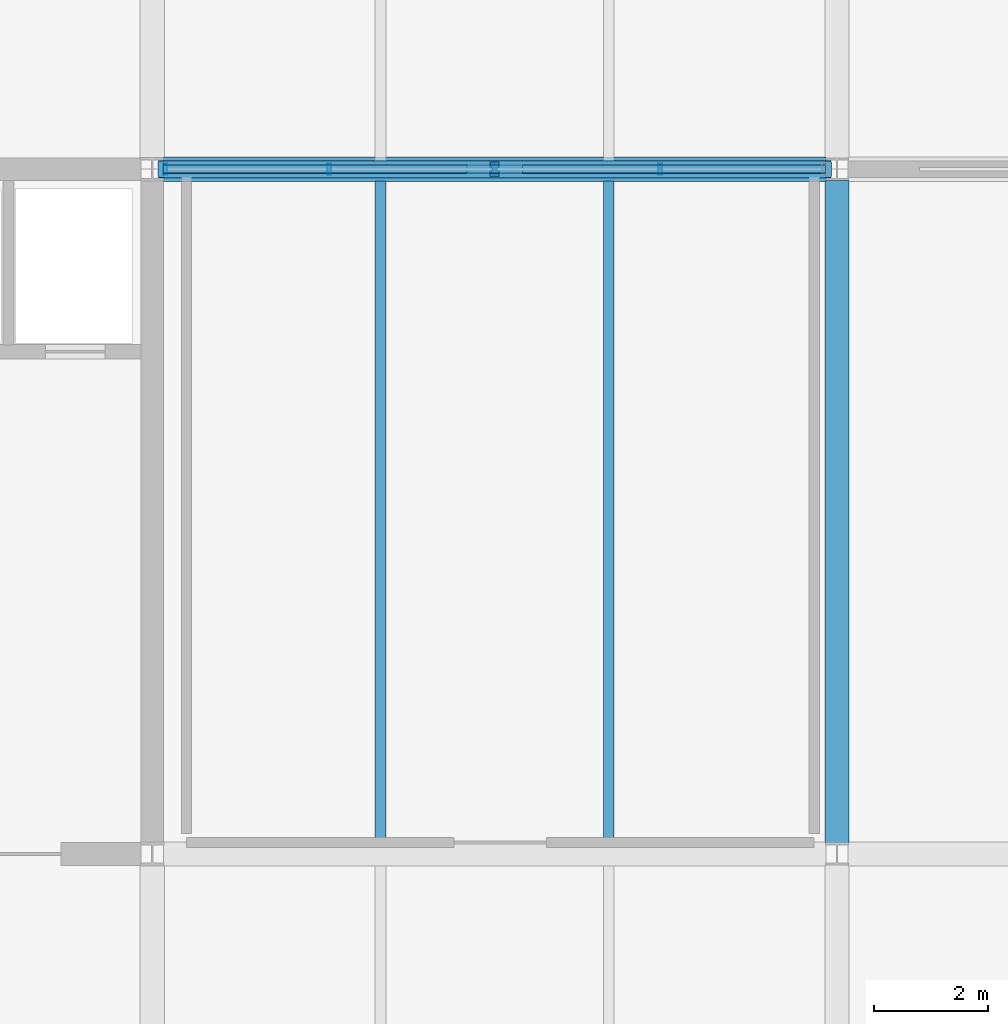
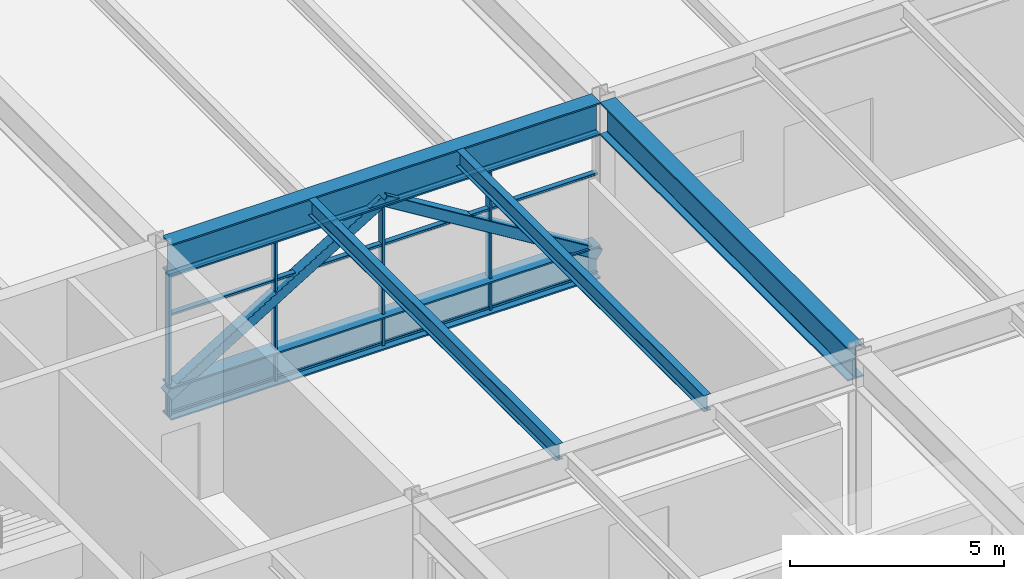
# One storey, part 30 of 42: 10 members, 4 beams, 1 element without a shape of its own.
"""IFC4 building model written with IfcOpenShell, lengths in metres."""

from ifc_helpers import new_model, si_unit, direction, frame, origin, origin_2d, place, context, subcontext, project, spatial, hollow_rectangle, i_section, extrude, material, material_profile, profile_set, type_object, element, aggregate, save


model = new_model("IFC4")

# Units and contexts
model_context = context("Model", 3, precision=1e-05, world=origin(), true_north=direction((0.0, 1.0)))
body_context = subcontext(model_context, "Body", "Model", "MODEL_VIEW")
ifc_project = project(units=[si_unit("LENGTHUNIT", "METRE"), si_unit("AREAUNIT", "SQUARE_METRE"), si_unit("VOLUMEUNIT", "CUBIC_METRE"), si_unit("PLANEANGLEUNIT", "RADIAN"), si_unit("MASSUNIT", "GRAM", prefix="KILO")], contexts=[model_context])

# Site, building, storey
site_placement = place(None, origin())
site = spatial("IfcSite", under=ifc_project, at=site_placement, CompositionType="ELEMENT")
building_placement = place(site_placement, origin())
building = spatial("IfcBuilding", under=site, at=building_placement, Name="Girod Span Mobility Hub", CompositionType="ELEMENT")
storey_placement = place(building_placement, frame((0.0, 0.0, 32.39990234375)))
storey = spatial("IfcBuildingStorey", under=building, at=storey_placement, Name="L08", CompositionType="ELEMENT", Elevation=32.39990234375)

# Beams
ifc_material_1 = material(Name="Steel A992 Grade 50", Category="steel")
ifc_material_profile_1 = material_profile(ifc_material_1, i_section(OverallWidth=0.19189453125, OverallDepth=0.462890625, WebThickness=0.010498046875, FlangeThickness=0.017578125, FilletRadius=0.013916015625, at=origin_2d()), Name="W18X60")
ifc_profile_set_1 = profile_set([ifc_material_profile_1], Name="Steel A992 Grade 50")
beam_type_1 = type_object("IfcBeamType", Name="BM-STL-W18X60", PredefinedType="BEAM", material=ifc_profile_set_1)
for number, where, z_axis, x_axis, name in (
    (1, (124.0, 57.20849609375, 4.80859375), (0.0, 1.0, 0.0), (-1.0, 0.0, 0.0), "Composite Floorbeam 11/E-1 L08"),
    (2, (128.0, 57.20849609375, 4.80859375), (0.0, 1.0, 0.0), (-1.0, 0.0, 0.0), "Composite Floorbeam 11/E-2 L08"),
):
    element("IfcBeam", number, at=place(storey_placement, frame(where, z_axis=z_axis, x_axis=x_axis)), inside=storey, type_object=beam_type_1, Name=name, PredefinedType="BEAM", context=body_context, shape_type="SweptSolid", body=[
        extrude(i_section(OverallWidth=0.19189453125, OverallDepth=0.462890625, WebThickness=0.010498046875, FlangeThickness=0.017578125, FilletRadius=0.013916015625, at=origin_2d()), origin(), (0.0, 0.0, 1.0), 11.5830078125),
    ])
ifc_material_2 = material(Name="Steel A992 Grade 50", Category="steel")
ifc_material_profile_2 = material_profile(ifc_material_2, i_section(OverallWidth=0.423095703125, OverallDepth=0.93994140625, WebThickness=0.02392578125, FlangeThickness=0.042724609375, FilletRadius=0.02392578125, at=origin_2d()), Name="W36X302")
ifc_profile_set_2 = profile_set([ifc_material_profile_2], Name="Steel A992 Grade 50")
beam_type_2 = type_object("IfcBeamType", Name="BM-STL-W36X302", PredefinedType="BEAM", material=ifc_profile_set_2)
beam_1_placement = place(storey_placement, frame((120.199951171875, 69.0, 4.570068359375), z_axis=(1.0, 0.0, 0.0), x_axis=(0.0, 1.0, 0.0)))
element("IfcBeam", 3, at=beam_1_placement, inside=storey, type_object=beam_type_2, Name="Girder 11-12/F L08", PredefinedType="BEAM", context=body_context, shape_type="SweptSolid", body=[
    extrude(i_section(OverallWidth=0.423095703125, OverallDepth=0.93994140625, WebThickness=0.02392578125, FlangeThickness=0.042724609375, FilletRadius=0.02392578125, at=origin_2d()), origin(), (0.0, 0.0, 1.0), 11.603515625),
])
beam_2_placement = place(storey_placement, frame((132.0, 57.193603515625, 4.570068359375), z_axis=(0.0, 1.0, 0.0), x_axis=(-1.0, 0.0, 0.0)))
element("IfcBeam", 4, at=beam_2_placement, inside=storey, type_object=beam_type_2, Name="Tie Girder 12/E-F L08", PredefinedType="BEAM", context=body_context, shape_type="SweptSolid", body=[
    extrude(i_section(OverallWidth=0.423095703125, OverallDepth=0.93994140625, WebThickness=0.02392578125, FlangeThickness=0.042724609375, FilletRadius=0.02392578125, at=origin_2d()), origin(), (0.0, 0.0, 1.0), 11.61279296875),
])

# Curtain wall, members
ifc_material_3 = material(Name="Thermally Broken Anodised Aluminium", Category="aluminium")
curtain_wall_type = type_object("IfcCurtainWallType", Name="CW-1160X410", PredefinedType="USERDEFINED", material=ifc_material_3)
curtain_wall_placement = place(storey_placement, origin())
curtain_wall = element("IfcCurtainWall", 5, at=curtain_wall_placement, inside=storey, type_object=curtain_wall_type, Name="Unitised Curtain Wall CW-L08-N11 L08", ObjectType="UNITISED CURTAIN WALL", PredefinedType="USERDEFINED")
ifc_material_4 = material(Name="Thermally Broken Anodised Aluminium", Category="aluminium")
ifc_material_profile_3 = material_profile(ifc_material_4, hollow_rectangle(XDim=0.199951171875, YDim=0.06494140625, WallThickness=0.00390625, InnerFilletRadius=0.00390625, OuterFilletRadius=0.008056640625, at=origin_2d()), Name="CW-ML-65X200")
ifc_profile_set_3 = profile_set([ifc_material_profile_3], Name="Thermally Broken Anodised Aluminium")
member_type_1 = type_object("IfcMemberType", Name="CWM-ML-1", PredefinedType="MULLION", material=ifc_profile_set_3)
member_1_placement = place(storey_placement, frame((120.23291015625, 69.0, 0.0), z_axis=(0.0, 0.0, 1.0), x_axis=(0.0, 1.0, 0.0)))
member_1 = element("IfcMember", 6, at=member_1_placement, type_object=member_type_1, Name="Curtain Wall Mullion CW-L08-N11-M0", PredefinedType="MULLION", context=body_context, shape_type="SweptSolid", body=[
    extrude(hollow_rectangle(XDim=0.199951171875, YDim=0.06494140625, WallThickness=0.00390625, InnerFilletRadius=0.00390625, OuterFilletRadius=0.008056640625, at=origin_2d()), origin(), (0.0, 0.0, 1.0), 4.10009765625),
])
member_2_placement = place(storey_placement, frame((123.101318359375, 69.0, 0.0), z_axis=(0.0, 0.0, 1.0), x_axis=(0.0, 1.0, 0.0)))
member_2 = element("IfcMember", 7, at=member_2_placement, type_object=member_type_1, Name="Curtain Wall Mullion CW-L08-N11-M1", PredefinedType="MULLION", context=body_context, shape_type="SweptSolid", body=[
    extrude(hollow_rectangle(XDim=0.199951171875, YDim=0.06494140625, WallThickness=0.00390625, InnerFilletRadius=0.00390625, OuterFilletRadius=0.008056640625, at=origin_2d()), origin(), (0.0, 0.0, 1.0), 4.10009765625),
])
member_3_placement = place(storey_placement, frame((126.001708984375, 69.0, 0.0), z_axis=(0.0, 0.0, 1.0), x_axis=(0.0, 1.0, 0.0)))
member_3 = element("IfcMember", 8, at=member_3_placement, type_object=member_type_1, Name="Curtain Wall Mullion CW-L08-N11-M2", PredefinedType="MULLION", context=body_context, shape_type="SweptSolid", body=[
    extrude(hollow_rectangle(XDim=0.199951171875, YDim=0.06494140625, WallThickness=0.00390625, InnerFilletRadius=0.00390625, OuterFilletRadius=0.008056640625, at=origin_2d()), origin(), (0.0, 0.0, 1.0), 4.10009765625),
])
member_4_placement = place(storey_placement, frame((128.902099609375, 69.0, 0.0), z_axis=(0.0, 0.0, 1.0), x_axis=(0.0, 1.0, 0.0)))
member_4 = element("IfcMember", 9, at=member_4_placement, type_object=member_type_1, Name="Curtain Wall Mullion CW-L08-N11-M3", PredefinedType="MULLION", context=body_context, shape_type="SweptSolid", body=[
    extrude(hollow_rectangle(XDim=0.199951171875, YDim=0.06494140625, WallThickness=0.00390625, InnerFilletRadius=0.00390625, OuterFilletRadius=0.008056640625, at=origin_2d()), origin(), (0.0, 0.0, 1.0), 4.10009765625),
])
ifc_material_5 = material(Name="Thermally Broken Anodised Aluminium", Category="aluminium")
ifc_material_profile_4 = material_profile(ifc_material_5, hollow_rectangle(XDim=0.14990234375, YDim=0.06494140625, WallThickness=0.00390625, InnerFilletRadius=0.00390625, OuterFilletRadius=0.008056640625, at=origin_2d()), Name="CW-TR-65X150")
ifc_profile_set_4 = profile_set([ifc_material_profile_4], Name="Thermally Broken Anodised Aluminium")
member_type_2 = type_object("IfcMemberType", Name="CWM-TR-1", PredefinedType="USERDEFINED", material=ifc_profile_set_4)
member_5_placement = place(storey_placement, frame((120.200927734375, 69.0, 0.107666015625), z_axis=(1.0, 0.0, 0.0), x_axis=(0.0, 1.0, 0.0)))
member_5 = element("IfcMember", 10, at=member_5_placement, type_object=member_type_2, Name="Curtain Wall Transom CW-L08-N11-T1", ObjectType="TRANSOM", PredefinedType="USERDEFINED", context=body_context, shape_type="SweptSolid", body=[
    extrude(hollow_rectangle(XDim=0.14990234375, YDim=0.06494140625, WallThickness=0.00390625, InnerFilletRadius=0.00390625, OuterFilletRadius=0.008056640625, at=origin_2d()), origin(), (0.0, 0.0, 1.0), 11.6015625),
])
member_6_placement = place(storey_placement, frame((120.200927734375, 69.0, 2.919677734375), z_axis=(1.0, 0.0, 0.0), x_axis=(0.0, 1.0, 0.0)))
member_6 = element("IfcMember", 11, at=member_6_placement, type_object=member_type_2, Name="Curtain Wall Transom CW-L08-N11-T2", ObjectType="TRANSOM", PredefinedType="USERDEFINED", context=body_context, shape_type="SweptSolid", body=[
    extrude(hollow_rectangle(XDim=0.14990234375, YDim=0.06494140625, WallThickness=0.00390625, InnerFilletRadius=0.00390625, OuterFilletRadius=0.008056640625, at=origin_2d()), origin(), (0.0, 0.0, 1.0), 11.6015625),
])
member_7_placement = place(storey_placement, frame((120.200927734375, 69.0, 4.067626953125), z_axis=(1.0, 0.0, 0.0), x_axis=(0.0, 1.0, 0.0)))
member_7 = element("IfcMember", 12, at=member_7_placement, type_object=member_type_2, Name="Curtain Wall Transom CW-L08-N11-T3", ObjectType="TRANSOM", PredefinedType="USERDEFINED", context=body_context, shape_type="SweptSolid", body=[
    extrude(hollow_rectangle(XDim=0.14990234375, YDim=0.06494140625, WallThickness=0.00390625, InnerFilletRadius=0.00390625, OuterFilletRadius=0.008056640625, at=origin_2d()), origin(), (0.0, 0.0, 1.0), 11.6015625),
])
aggregate(curtain_wall, [member_1, member_2, member_3, member_4, member_5, member_6, member_7])

# Members
ifc_material_6 = material(Name="Steel HSS A500 Grade C", Category="steel")
ifc_material_profile_5 = material_profile(ifc_material_6, hollow_rectangle(XDim=0.304931640625, YDim=0.304931640625, WallThickness=0.014892578125, InnerFilletRadius=0.014892578125, OuterFilletRadius=0.029541015625, at=origin_2d()), Name="HSS305X305X16")
ifc_profile_set_5 = profile_set([ifc_material_profile_5], Name="Steel HSS A500 Grade C")
member_type_3 = type_object("IfcMemberType", Name="MB-BR-HSS305", PredefinedType="BRACE", material=ifc_profile_set_5)
member_8_placement = place(storey_placement, frame((120.18310546875, 69.0, 0.650146484375), z_axis=(0.852282861165, 0.0, 0.523081183531), x_axis=(0.0, 1.0, 0.0)))
element("IfcMember", 13, at=member_8_placement, inside=storey, type_object=member_type_3, Name="Warren Transfer Truss Web Diagonal Y=69 11-L", PredefinedType="BRACE", context=body_context, shape_type="SweptSolid", body=[
    extrude(hollow_rectangle(XDim=0.304931640625, YDim=0.304931640625, WallThickness=0.014892578125, InnerFilletRadius=0.014892578125, OuterFilletRadius=0.029541015625, at=origin_2d()), origin(), (0.0, 0.0, 1.0), 6.8251953125),
])
member_9_placement = place(storey_placement, frame((131.820556640625, 69.0, 0.650146484375), z_axis=(-0.852429572688, 0.0, 0.522842063731), x_axis=(0.0, -1.0, 0.0)))
element("IfcMember", 14, at=member_9_placement, inside=storey, type_object=member_type_3, Name="Warren Transfer Truss Web Diagonal Y=69 11-R", PredefinedType="BRACE", context=body_context, shape_type="SweptSolid", body=[
    extrude(hollow_rectangle(XDim=0.304931640625, YDim=0.304931640625, WallThickness=0.014892578125, InnerFilletRadius=0.014892578125, OuterFilletRadius=0.029541015625, at=origin_2d()), origin(), (0.0, 0.0, 1.0), 6.828125),
])
ifc_material_7 = material(Name="Steel A992 Grade 50", Category="steel")
ifc_material_profile_6 = material_profile(ifc_material_7, i_section(OverallWidth=0.423095703125, OverallDepth=0.93994140625, WebThickness=0.02392578125, FlangeThickness=0.042724609375, FilletRadius=0.02392578125, at=origin_2d()), Name="W36X302")
ifc_profile_set_6 = profile_set([ifc_material_profile_6], Name="Steel A992 Grade 50")
member_type_4 = type_object("IfcMemberType", Name="MB-CH-W36X302", PredefinedType="CHORD", material=ifc_profile_set_6)
member_10_placement = place(storey_placement, frame((120.199951171875, 69.0, 0.47998046875), z_axis=(1.0, 0.0, 0.0), x_axis=(0.0, 1.0, 0.0)))
element("IfcMember", 15, at=member_10_placement, inside=storey, type_object=member_type_4, Name="Warren Transfer Truss Bottom Chord Y=69 Bay 11", PredefinedType="CHORD", context=body_context, shape_type="SweptSolid", body=[
    extrude(i_section(OverallWidth=0.423095703125, OverallDepth=0.93994140625, WebThickness=0.02392578125, FlangeThickness=0.042724609375, FilletRadius=0.02392578125, at=origin_2d()), origin(), (0.0, 0.0, 1.0), 11.603515625),
])

save(model, "model.ifc")
